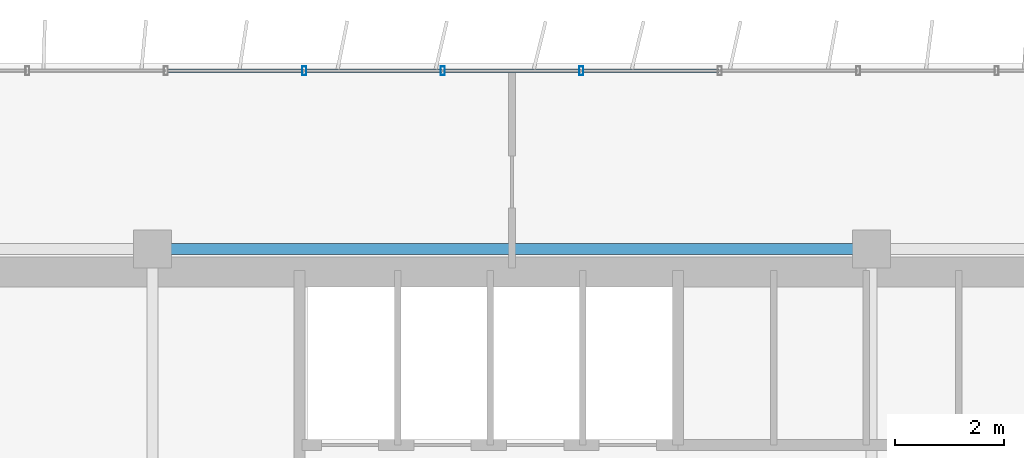
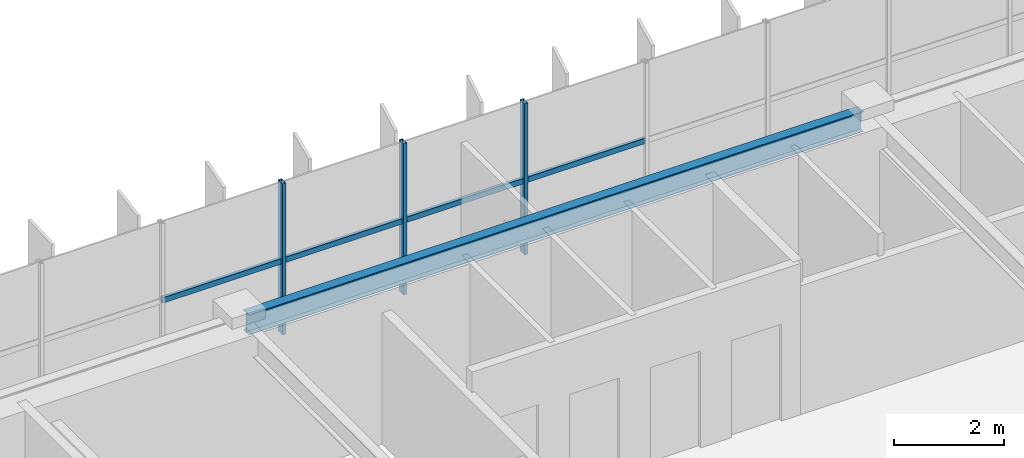
# One storey, part 9 of 23: 7 members, 1 beam, 1 element without a shape of its own.
"""IFC4 building model written with IfcOpenShell, lengths in metres."""

from ifc_helpers import new_model, si_unit, direction, frame, origin, origin_2d, place, context, subcontext, project, spatial, hollow_rectangle, i_section, extrude, source, transform, mapped, material, material_profile, profile_set, type_object, element, aggregate, save


model = new_model("IFC4")

# Units and contexts
model_context = context("Model", 3, precision=1e-05, world=origin(), true_north=direction((0.0, 1.0)))
body_context = subcontext(model_context, "Body", "Model", "MODEL_VIEW")
ifc_project = project(units=[si_unit("LENGTHUNIT", "METRE"), si_unit("AREAUNIT", "SQUARE_METRE"), si_unit("VOLUMEUNIT", "CUBIC_METRE"), si_unit("PLANEANGLEUNIT", "RADIAN"), si_unit("MASSUNIT", "GRAM", prefix="KILO")], contexts=[model_context])

# Site, building, storey
site_placement = place(None, origin())
site = spatial("IfcSite", under=ifc_project, at=site_placement, CompositionType="ELEMENT")
building_placement = place(site_placement, origin())
building = spatial("IfcBuilding", under=site, at=building_placement, Name="Trelvane Seafront Commons", CompositionType="ELEMENT")
storey_placement = place(building_placement, frame((0.0, 0.0, 208.5)))
storey = spatial("IfcBuildingStorey", under=building, at=storey_placement, Name="L54", CompositionType="ELEMENT", Elevation=208.5)

# Beam
ifc_material_1 = material(Name="Steel SM355 (S355)", Category="steel")
ifc_material_profile_1 = material_profile(ifc_material_1, i_section(OverallWidth=0.199951171875, OverallDepth=0.449951171875, WebThickness=0.009033203125, FlangeThickness=0.013916015625, at=origin_2d()), Name="H-450x200x9x14")
ifc_profile_set_1 = profile_set([ifc_material_profile_1], Name="Steel SM355 (S355)")
beam_type = type_object("IfcBeamType", Name="STR-SPD-H450", PredefinedType="SPANDREL", material=ifc_profile_set_1)
shared_shape_1 = source(origin(), body_context, "Body", "SweptSolid", [
    extrude(i_section(OverallWidth=0.199951171875, OverallDepth=0.449951171875, WebThickness=0.009033203125, FlangeThickness=0.013916015625, at=origin_2d()), origin(), (0.0, 0.0, 1.0), 12.89990234375),
])
beam_placement = place(storey_placement, frame((30.75, 45.10009765625, 3.135009765625), z_axis=(1.0, 0.0, 0.0), x_axis=(0.0, 1.0, 0.0)))
element("IfcBeam", 1, at=beam_placement, inside=storey, type_object=beam_type, Name="L54 Primary Girder G-25", PredefinedType="SPANDREL", context=body_context, shape_type="MappedRepresentation", body=[
    mapped(shared_shape_1, transform((0.0, 0.0, 0.0), x_axis=(1.0, 0.0, 0.0), y_axis=(0.0, 1.0, 0.0), z_axis=(0.0, 0.0, 1.0), scale=1.0)),
])

# Curtain wall, members
ifc_material_2 = material(Name="Anodised pale-silver aluminium", Category="aluminium")
curtain_wall_type = type_object("IfcCurtainWallType", Name="ARCH-CW5-UPTOWER", PredefinedType="NOTDEFINED", material=ifc_material_2)
curtain_wall_placement = place(storey_placement, origin())
curtain_wall = element("IfcCurtainWall", 2, at=curtain_wall_placement, inside=storey, type_object=curtain_wall_type, Name="CW-L54-0097", PredefinedType="NOTDEFINED")
ifc_material_profile_2 = material_profile(ifc_material_2, hollow_rectangle(XDim=0.070068359375, YDim=0.1201171875, WallThickness=0.00390625, at=origin_2d()), Name="TRAN-70x120x4")
ifc_profile_set_2 = profile_set([ifc_material_profile_2], Name="Anodised pale-silver aluminium")
member_type_1 = type_object("IfcMemberType", Name="ARCH-CW-TRAN-120", PredefinedType="USERDEFINED", material=ifc_profile_set_2)
shared_shape_2 = source(origin(), body_context, "Body", "SweptSolid", [
    extrude(hollow_rectangle(XDim=0.070068359375, YDim=0.1201171875, WallThickness=0.00390625, at=origin_2d()), origin(), (0.0, 0.0, 1.0), 2.51708984375),
])
member_1_placement = place(storey_placement, frame((30.859130859375, 48.3701171875, 1.613037109375), z_axis=(1.0, 0.0, 0.0), x_axis=(0.0, 1.0, 0.0)))
member_1 = element("IfcMember", 3, at=member_1_placement, type_object=member_type_1, Name="CW-L54-0097-T06", ObjectType="TRANSOM", PredefinedType="USERDEFINED", context=body_context, shape_type="MappedRepresentation", body=[
    mapped(shared_shape_2, transform((0.0, 0.0, 0.0), x_axis=(1.0, 0.0, 0.0), y_axis=(0.0, 1.0, 0.0), z_axis=(0.0, 0.0, 1.0), scale=1.0)),
])
member_2_placement = place(storey_placement, frame((35.94140625, 48.3701171875, 1.613037109375), z_axis=(1.0, 0.0, 0.0), x_axis=(0.0, 1.0, 0.0)))
member_2 = element("IfcMember", 4, at=member_2_placement, type_object=member_type_1, Name="CW-L54-0097-T08", ObjectType="TRANSOM", PredefinedType="USERDEFINED", context=body_context, shape_type="MappedRepresentation", body=[
    mapped(shared_shape_2, transform((0.0, 0.0, 0.0), x_axis=(1.0, 0.0, 0.0), y_axis=(0.0, 1.0, 0.0), z_axis=(0.0, 0.0, 1.0), scale=1.0)),
])
member_3_placement = place(storey_placement, frame((38.482666015625, 48.3701171875, 1.613037109375), z_axis=(1.0, 0.0, 0.0), x_axis=(0.0, 1.0, 0.0)))
member_3 = element("IfcMember", 5, at=member_3_placement, type_object=member_type_1, Name="CW-L54-0097-T09", ObjectType="TRANSOM", PredefinedType="USERDEFINED", context=body_context, shape_type="MappedRepresentation", body=[
    mapped(shared_shape_2, transform((0.0, 0.0, 0.0), x_axis=(1.0, 0.0, 0.0), y_axis=(0.0, 1.0, 0.0), z_axis=(0.0, 0.0, 1.0), scale=1.0)),
])
shared_shape_3 = source(origin(), body_context, "Body", "SweptSolid", [
    extrude(hollow_rectangle(XDim=0.070068359375, YDim=0.1201171875, WallThickness=0.00390625, at=origin_2d()), origin(), (0.0, 0.0, 1.0), 2.517333984375),
])
member_4_placement = place(storey_placement, frame((33.400146484375, 48.3701171875, 1.613037109375), z_axis=(1.0, 0.0, 0.0), x_axis=(0.0, 1.0, 0.0)))
member_4 = element("IfcMember", 6, at=member_4_placement, type_object=member_type_1, Name="CW-L54-0097-T07", ObjectType="TRANSOM", PredefinedType="USERDEFINED", context=body_context, shape_type="MappedRepresentation", body=[
    mapped(shared_shape_3, transform((0.0, 0.0, 0.0), x_axis=(1.0, 0.0, 0.0), y_axis=(0.0, 1.0, 0.0), z_axis=(0.0, 0.0, 1.0), scale=1.0)),
])
ifc_material_profile_3 = material_profile(ifc_material_2, hollow_rectangle(XDim=0.074951171875, YDim=0.159912109375, WallThickness=0.00390625, at=origin_2d()), Name="MULL-75x160x4")
ifc_profile_set_3 = profile_set([ifc_material_profile_3], Name="Anodised pale-silver aluminium")
member_type_2 = type_object("IfcMemberType", Name="ARCH-CW-MULL-160", PredefinedType="MULLION", material=ifc_profile_set_3)
shared_shape_4 = source(origin(), body_context, "Body", "SweptSolid", [
    extrude(hollow_rectangle(XDim=0.074951171875, YDim=0.159912109375, WallThickness=0.00390625, at=origin_2d()), origin(), (0.0, 0.0, 1.0), 3.360107421875),
])
member_5_placement = place(storey_placement, frame((33.38818359375, 48.3701171875, 0.0), z_axis=(0.0, 0.0, 1.0), x_axis=(1.0, 0.0, 0.0)))
member_5 = element("IfcMember", 7, at=member_5_placement, type_object=member_type_2, Name="CW-L54-0097-M07", PredefinedType="MULLION", context=body_context, shape_type="MappedRepresentation", body=[
    mapped(shared_shape_4, transform((0.0, 0.0, 0.0), x_axis=(1.0, 0.0, 0.0), y_axis=(0.0, 1.0, 0.0), z_axis=(0.0, 0.0, 1.0), scale=1.0)),
])
member_6_placement = place(storey_placement, frame((35.929443359375, 48.3701171875, 0.0), z_axis=(0.0, 0.0, 1.0), x_axis=(1.0, 0.0, 0.0)))
member_6 = element("IfcMember", 8, at=member_6_placement, type_object=member_type_2, Name="CW-L54-0097-M08", PredefinedType="MULLION", context=body_context, shape_type="MappedRepresentation", body=[
    mapped(shared_shape_4, transform((0.0, 0.0, 0.0), x_axis=(1.0, 0.0, 0.0), y_axis=(0.0, 1.0, 0.0), z_axis=(0.0, 0.0, 1.0), scale=1.0)),
])
member_7_placement = place(storey_placement, frame((38.470703125, 48.3701171875, 0.0), z_axis=(0.0, 0.0, 1.0), x_axis=(1.0, 0.0, 0.0)))
member_7 = element("IfcMember", 9, at=member_7_placement, type_object=member_type_2, Name="CW-L54-0097-M09", PredefinedType="MULLION", context=body_context, shape_type="MappedRepresentation", body=[
    mapped(shared_shape_4, transform((0.0, 0.0, 0.0), x_axis=(1.0, 0.0, 0.0), y_axis=(0.0, 1.0, 0.0), z_axis=(0.0, 0.0, 1.0), scale=1.0)),
])
aggregate(curtain_wall, [member_5, member_6, member_7, member_1, member_4, member_2, member_3])

save(model, "model.ifc")
